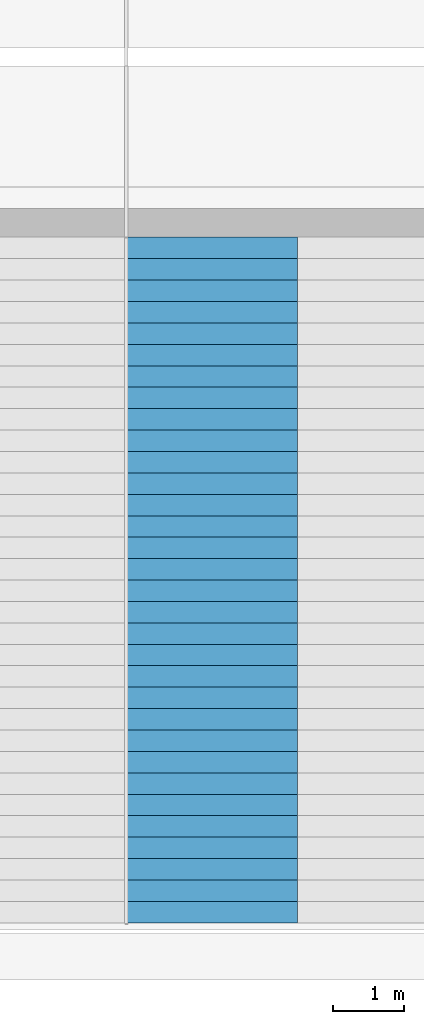
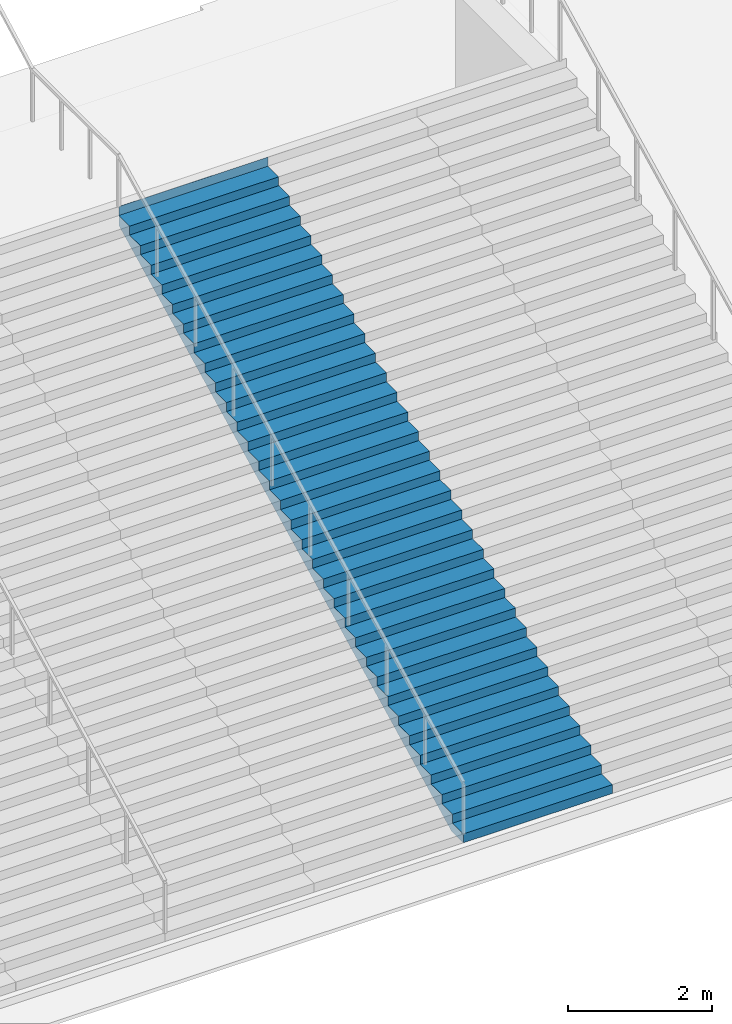
# One storey, part 37 of 57: 1 stair flight, 1 element without a shape of its own.
"""IFC4 building model written with IfcOpenShell, lengths in metres."""

from ifc_helpers import new_model, si_unit, direction, frame, origin, place, context, subcontext, project, spatial, triangles, material, type_object, element, aggregate, save


model = new_model("IFC4")

# Units and contexts
model_context = context("Model", 3, precision=1e-05, world=origin(), true_north=direction((0.0, 1.0)))
body_context = subcontext(model_context, "Body", "Model", "MODEL_VIEW")
ifc_project = project(units=[si_unit("LENGTHUNIT", "METRE"), si_unit("AREAUNIT", "SQUARE_METRE"), si_unit("VOLUMEUNIT", "CUBIC_METRE"), si_unit("PLANEANGLEUNIT", "RADIAN"), si_unit("MASSUNIT", "GRAM", prefix="KILO")], contexts=[model_context])

# Site, building, storey
site_placement = place(None, origin())
site = spatial("IfcSite", under=ifc_project, at=site_placement, CompositionType="ELEMENT")
building_placement = place(site_placement, origin())
building = spatial("IfcBuilding", under=site, at=building_placement, Name="Beryl Residences", CompositionType="ELEMENT")
storey_placement = place(building_placement, origin())
storey = spatial("IfcBuildingStorey", under=building, at=storey_placement, Name="L00", CompositionType="ELEMENT", Elevation=0.0)

# Stair, stair flight
ifc_material_1 = material(Name="Precast concrete C40/50", Category="concrete")
stair_type = type_object("IfcStairType", Name="GS1 garden stair", PredefinedType="STRAIGHT_RUN_STAIR", material=ifc_material_1)
stair_placement = place(storey_placement, origin())
stair = element("IfcStair", 1, at=stair_placement, inside=storey, type_object=stair_type, Name="GS1 garden stair", PredefinedType="STRAIGHT_RUN_STAIR")
ifc_material_2 = material(Name="Precast concrete C40/50", Category="concrete")
stair_flight_type = type_object("IfcStairFlightType", Name="GF1 garden stair flight", PredefinedType="STRAIGHT", material=ifc_material_2)
stair_flight_placement = place(storey_placement, frame((6.0, -54.199951171875, 0.0), z_axis=(0.0, 0.0, 1.0), x_axis=(0.0, 1.0, 0.0)))
stair_flight = element("IfcStairFlight", 2, at=stair_flight_placement, type_object=stair_flight_type, Name="GS1 flight 8", NumberOfRisers=33, NumberOfTreads=32, PredefinedType="STRAIGHT", RiserHeight=0.151515152, TreadLength=0.3, context=body_context, shape_type="Tessellation", body=[
    triangles([(0.0, -1.199951171875, 0.0), (0.0, -0.60009765625, 0.0), (0.0, 0.0, 0.0), (0.0, 0.60009765625, 0.0), (0.0, 1.199951171875, 0.0), (0.0, -1.199951171875, 0.151611328125), (0.0, -0.60009765625, 0.151611328125), (0.0, 0.0, 0.151611328125), (0.0, 0.60009765625, 0.151611328125), (0.0, 1.199951171875, 0.151611328125), (0.300048828125, -1.199951171875, 0.151611328125), (0.300048828125, -0.60009765625, 0.151611328125), (0.300048828125, 0.0, 0.151611328125), (0.300048828125, 0.60009765625, 0.151611328125), (0.300048828125, 1.199951171875, 0.151611328125), (0.300048828125, -1.199951171875, 0.302978515625), (0.300048828125, -0.60009765625, 0.302978515625), (0.300048828125, 0.0, 0.302978515625), (0.300048828125, 0.60009765625, 0.302978515625), (0.300048828125, 1.199951171875, 0.302978515625), (0.60009765625, -1.199951171875, 0.302978515625), (0.60009765625, -0.60009765625, 0.302978515625), (0.60009765625, 0.0, 0.302978515625), (0.60009765625, 0.60009765625, 0.302978515625), (0.60009765625, 1.199951171875, 0.302978515625), (0.60009765625, -1.199951171875, 0.45458984375), (0.60009765625, -0.60009765625, 0.45458984375), (0.60009765625, 0.0, 0.45458984375), (0.60009765625, 0.60009765625, 0.45458984375), (0.60009765625, 1.199951171875, 0.45458984375), (0.89990234375, -1.199951171875, 0.45458984375), (0.89990234375, -0.60009765625, 0.45458984375), (0.89990234375, 0.0, 0.45458984375), (0.89990234375, 0.60009765625, 0.45458984375), (0.89990234375, 1.199951171875, 0.45458984375), (0.89990234375, -1.199951171875, 0.60595703125), (0.89990234375, -0.60009765625, 0.60595703125), (0.89990234375, 0.0, 0.60595703125), (0.89990234375, 0.60009765625, 0.60595703125), (0.89990234375, 1.199951171875, 0.60595703125), (1.199951171875, -1.199951171875, 0.60595703125), (1.199951171875, -0.60009765625, 0.60595703125), (1.199951171875, 0.0, 0.60595703125), (1.199951171875, 0.60009765625, 0.60595703125), (1.199951171875, 1.199951171875, 0.60595703125), (1.199951171875, -1.199951171875, 0.757568359375), (1.199951171875, -0.60009765625, 0.757568359375), (1.199951171875, 0.0, 0.757568359375), (1.199951171875, 0.60009765625, 0.757568359375), (1.199951171875, 1.199951171875, 0.757568359375), (1.5, -1.199951171875, 0.757568359375), (1.5, -0.60009765625, 0.757568359375), (1.5, 0.0, 0.757568359375), (1.5, 0.60009765625, 0.757568359375), (1.5, 1.199951171875, 0.757568359375), (1.5, -1.199951171875, 0.9091796875), (1.5, -0.60009765625, 0.9091796875), (1.5, 0.0, 0.9091796875), (1.5, 0.60009765625, 0.9091796875), (1.5, 1.199951171875, 0.9091796875), (1.800048828125, -1.199951171875, 0.9091796875), (1.800048828125, -0.60009765625, 0.9091796875), (1.800048828125, 0.0, 0.9091796875), (1.800048828125, 0.60009765625, 0.9091796875), (1.800048828125, 1.199951171875, 0.9091796875), (1.800048828125, -1.199951171875, 1.060546875), (1.800048828125, -0.60009765625, 1.060546875), (1.800048828125, 0.0, 1.060546875), (1.800048828125, 0.60009765625, 1.060546875), (1.800048828125, 1.199951171875, 1.060546875), (2.10009765625, -1.199951171875, 1.060546875), (2.10009765625, -0.60009765625, 1.060546875), (2.10009765625, 0.0, 1.060546875), (2.10009765625, 0.60009765625, 1.060546875), (2.10009765625, 1.199951171875, 1.060546875), (2.10009765625, -1.199951171875, 1.212158203125), (2.10009765625, -0.60009765625, 1.212158203125), (2.10009765625, 0.0, 1.212158203125), (2.10009765625, 0.60009765625, 1.212158203125), (2.10009765625, 1.199951171875, 1.212158203125), (2.39990234375, -1.199951171875, 1.212158203125), (2.39990234375, -0.60009765625, 1.212158203125), (2.39990234375, 0.0, 1.212158203125), (2.39990234375, 0.60009765625, 1.212158203125), (2.39990234375, 1.199951171875, 1.212158203125), (2.39990234375, -1.199951171875, 1.363525390625), (2.39990234375, -0.60009765625, 1.363525390625), (2.39990234375, 0.0, 1.363525390625), (2.39990234375, 0.60009765625, 1.363525390625), (2.39990234375, 1.199951171875, 1.363525390625), (2.699951171875, -1.199951171875, 1.363525390625), (2.699951171875, -0.60009765625, 1.363525390625), (2.699951171875, 0.0, 1.363525390625), (2.699951171875, 0.60009765625, 1.363525390625), (2.699951171875, 1.199951171875, 1.363525390625), (2.699951171875, -1.199951171875, 1.51513671875), (2.699951171875, -0.60009765625, 1.51513671875), (2.699951171875, 0.0, 1.51513671875), (2.699951171875, 0.60009765625, 1.51513671875), (2.699951171875, 1.199951171875, 1.51513671875), (3.0, -1.199951171875, 1.51513671875), (3.0, -0.60009765625, 1.51513671875), (3.0, 0.0, 1.51513671875), (3.0, 0.60009765625, 1.51513671875), (3.0, 1.199951171875, 1.51513671875), (3.0, -1.199951171875, 1.666748046875), (3.0, -0.60009765625, 1.666748046875), (3.0, 0.0, 1.666748046875), (3.0, 0.60009765625, 1.666748046875), (3.0, 1.199951171875, 1.666748046875), (3.300048828125, -1.199951171875, 1.666748046875), (3.300048828125, -0.60009765625, 1.666748046875), (3.300048828125, 0.0, 1.666748046875), (3.300048828125, 0.60009765625, 1.666748046875), (3.300048828125, 1.199951171875, 1.666748046875), (3.300048828125, -1.199951171875, 1.818115234375), (3.300048828125, -0.60009765625, 1.818115234375), (3.300048828125, 0.0, 1.818115234375), (3.300048828125, 0.60009765625, 1.818115234375), (3.300048828125, 1.199951171875, 1.818115234375), (3.60009765625, -1.199951171875, 1.818115234375), (3.60009765625, -0.60009765625, 1.818115234375), (3.60009765625, 0.0, 1.818115234375), (3.60009765625, 0.60009765625, 1.818115234375), (3.60009765625, 1.199951171875, 1.818115234375), (3.60009765625, -1.199951171875, 1.9697265625), (3.60009765625, -0.60009765625, 1.9697265625), (3.60009765625, 0.0, 1.9697265625), (3.60009765625, 0.60009765625, 1.9697265625), (3.60009765625, 1.199951171875, 1.9697265625), (3.89990234375, -1.199951171875, 1.9697265625), (3.89990234375, -0.60009765625, 1.9697265625), (3.89990234375, 0.0, 1.9697265625), (3.89990234375, 0.60009765625, 1.9697265625), (3.89990234375, 1.199951171875, 1.9697265625), (3.89990234375, -1.199951171875, 2.12109375), (3.89990234375, -0.60009765625, 2.12109375), (3.89990234375, 0.0, 2.12109375), (3.89990234375, 0.60009765625, 2.12109375), (3.89990234375, 1.199951171875, 2.12109375), (4.199951171875, -1.199951171875, 2.12109375), (4.199951171875, -0.60009765625, 2.12109375), (4.199951171875, 0.0, 2.12109375), (4.199951171875, 0.60009765625, 2.12109375), (4.199951171875, 1.199951171875, 2.12109375), (4.199951171875, -1.199951171875, 2.272705078125), (4.199951171875, -0.60009765625, 2.272705078125), (4.199951171875, 0.0, 2.272705078125), (4.199951171875, 0.60009765625, 2.272705078125), (4.199951171875, 1.199951171875, 2.272705078125), (4.5, -1.199951171875, 2.272705078125), (4.5, -0.60009765625, 2.272705078125), (4.5, 0.0, 2.272705078125), (4.5, 0.60009765625, 2.272705078125), (4.5, 1.199951171875, 2.272705078125), (4.5, -1.199951171875, 2.42431640625), (4.5, -0.60009765625, 2.42431640625), (4.5, 0.0, 2.42431640625), (4.5, 0.60009765625, 2.42431640625), (4.5, 1.199951171875, 2.42431640625), (4.800048828125, -1.199951171875, 2.42431640625), (4.800048828125, -0.60009765625, 2.42431640625), (4.800048828125, 0.0, 2.42431640625), (4.800048828125, 0.60009765625, 2.42431640625), (4.800048828125, 1.199951171875, 2.42431640625), (4.800048828125, -1.199951171875, 2.57568359375), (4.800048828125, -0.60009765625, 2.57568359375), (4.800048828125, 0.0, 2.57568359375), (4.800048828125, 0.60009765625, 2.57568359375), (4.800048828125, 1.199951171875, 2.57568359375), (5.10009765625, -1.199951171875, 2.57568359375), (5.10009765625, -0.60009765625, 2.57568359375), (5.10009765625, 0.0, 2.57568359375), (5.10009765625, 0.60009765625, 2.57568359375), (5.10009765625, 1.199951171875, 2.57568359375), (5.10009765625, -1.199951171875, 2.727294921875), (5.10009765625, -0.60009765625, 2.727294921875), (5.10009765625, 0.0, 2.727294921875), (5.10009765625, 0.60009765625, 2.727294921875), (5.10009765625, 1.199951171875, 2.727294921875), (5.39990234375, -1.199951171875, 2.727294921875), (5.39990234375, -0.60009765625, 2.727294921875), (5.39990234375, 0.0, 2.727294921875), (5.39990234375, 0.60009765625, 2.727294921875), (5.39990234375, 1.199951171875, 2.727294921875), (5.39990234375, -1.199951171875, 2.87890625), (5.39990234375, -0.60009765625, 2.87890625), (5.39990234375, 0.0, 2.87890625), (5.39990234375, 0.60009765625, 2.87890625), (5.39990234375, 1.199951171875, 2.87890625), (5.699951171875, -1.199951171875, 2.87890625), (5.699951171875, -0.60009765625, 2.87890625), (5.699951171875, 0.0, 2.87890625), (5.699951171875, 0.60009765625, 2.87890625), (5.699951171875, 1.199951171875, 2.87890625), (5.699951171875, -1.199951171875, 3.0302734375), (5.699951171875, -0.60009765625, 3.0302734375), (5.699951171875, 0.0, 3.0302734375), (5.699951171875, 0.60009765625, 3.0302734375), (5.699951171875, 1.199951171875, 3.0302734375), (6.0, -1.199951171875, 3.0302734375), (6.0, -0.60009765625, 3.0302734375), (6.0, 0.0, 3.0302734375), (6.0, 0.60009765625, 3.0302734375), (6.0, 1.199951171875, 3.0302734375), (6.0, -1.199951171875, 3.181884765625), (6.0, -0.60009765625, 3.181884765625), (6.0, 0.0, 3.181884765625), (6.0, 0.60009765625, 3.181884765625), (6.0, 1.199951171875, 3.181884765625), (6.300048828125, -1.199951171875, 3.181884765625), (6.300048828125, -0.60009765625, 3.181884765625), (6.300048828125, 0.0, 3.181884765625), (6.300048828125, 0.60009765625, 3.181884765625), (6.300048828125, 1.199951171875, 3.181884765625), (6.300048828125, -1.199951171875, 3.333251953125), (6.300048828125, -0.60009765625, 3.333251953125), (6.300048828125, 0.0, 3.333251953125), (6.300048828125, 0.60009765625, 3.333251953125), (6.300048828125, 1.199951171875, 3.333251953125), (6.60009765625, -1.199951171875, 3.333251953125), (6.60009765625, -0.60009765625, 3.333251953125), (6.60009765625, 0.0, 3.333251953125), (6.60009765625, 0.60009765625, 3.333251953125), (6.60009765625, 1.199951171875, 3.333251953125), (6.60009765625, -1.199951171875, 3.48486328125), (6.60009765625, -0.60009765625, 3.48486328125), (6.60009765625, 0.0, 3.48486328125), (6.60009765625, 0.60009765625, 3.48486328125), (6.60009765625, 1.199951171875, 3.48486328125), (6.89990234375, -1.199951171875, 3.48486328125), (6.89990234375, -0.60009765625, 3.48486328125), (6.89990234375, 0.0, 3.48486328125), (6.89990234375, 0.60009765625, 3.48486328125), (6.89990234375, 1.199951171875, 3.48486328125), (6.89990234375, -1.199951171875, 3.636474609375), (6.89990234375, -0.60009765625, 3.636474609375), (6.89990234375, 0.0, 3.636474609375), (6.89990234375, 0.60009765625, 3.636474609375), (6.89990234375, 1.199951171875, 3.636474609375), (7.199951171875, -1.199951171875, 3.636474609375), (7.199951171875, -0.60009765625, 3.636474609375), (7.199951171875, 0.0, 3.636474609375), (7.199951171875, 0.60009765625, 3.636474609375), (7.199951171875, 1.199951171875, 3.636474609375), (7.199951171875, -1.199951171875, 3.787841796875), (7.199951171875, -0.60009765625, 3.787841796875), (7.199951171875, 0.0, 3.787841796875), (7.199951171875, 0.60009765625, 3.787841796875), (7.199951171875, 1.199951171875, 3.787841796875), (7.5, -1.199951171875, 3.787841796875), (7.5, -0.60009765625, 3.787841796875), (7.5, 0.0, 3.787841796875), (7.5, 0.60009765625, 3.787841796875), (7.5, 1.199951171875, 3.787841796875), (7.5, -1.199951171875, 3.939453125), (7.5, -0.60009765625, 3.939453125), (7.5, 0.0, 3.939453125), (7.5, 0.60009765625, 3.939453125), (7.5, 1.199951171875, 3.939453125), (7.800048828125, -1.199951171875, 3.939453125), (7.800048828125, -0.60009765625, 3.939453125), (7.800048828125, 0.0, 3.939453125), (7.800048828125, 0.60009765625, 3.939453125), (7.800048828125, 1.199951171875, 3.939453125), (7.800048828125, -1.199951171875, 4.0908203125), (7.800048828125, -0.60009765625, 4.0908203125), (7.800048828125, 0.0, 4.0908203125), (7.800048828125, 0.60009765625, 4.0908203125), (7.800048828125, 1.199951171875, 4.0908203125), (8.10009765625, -1.199951171875, 4.0908203125), (8.10009765625, -0.60009765625, 4.0908203125), (8.10009765625, 0.0, 4.0908203125), (8.10009765625, 0.60009765625, 4.0908203125), (8.10009765625, 1.199951171875, 4.0908203125), (8.10009765625, -1.199951171875, 4.242431640625), (8.10009765625, -0.60009765625, 4.242431640625), (8.10009765625, 0.0, 4.242431640625), (8.10009765625, 0.60009765625, 4.242431640625), (8.10009765625, 1.199951171875, 4.242431640625), (8.39990234375, -1.199951171875, 4.242431640625), (8.39990234375, -0.60009765625, 4.242431640625), (8.39990234375, 0.0, 4.242431640625), (8.39990234375, 0.60009765625, 4.242431640625), (8.39990234375, 1.199951171875, 4.242431640625), (8.39990234375, -1.199951171875, 4.39404296875), (8.39990234375, -0.60009765625, 4.39404296875), (8.39990234375, 0.0, 4.39404296875), (8.39990234375, 0.60009765625, 4.39404296875), (8.39990234375, 1.199951171875, 4.39404296875), (8.699951171875, -1.199951171875, 4.39404296875), (8.699951171875, -0.60009765625, 4.39404296875), (8.699951171875, 0.0, 4.39404296875), (8.699951171875, 0.60009765625, 4.39404296875), (8.699951171875, 1.199951171875, 4.39404296875), (8.699951171875, -1.199951171875, 4.54541015625), (8.699951171875, -0.60009765625, 4.54541015625), (8.699951171875, 0.0, 4.54541015625), (8.699951171875, 0.60009765625, 4.54541015625), (8.699951171875, 1.199951171875, 4.54541015625), (9.0, -1.199951171875, 4.54541015625), (9.0, -0.60009765625, 4.54541015625), (9.0, 0.0, 4.54541015625), (9.0, 0.60009765625, 4.54541015625), (9.0, 1.199951171875, 4.54541015625), (9.0, -1.199951171875, 4.697021484375), (9.0, -0.60009765625, 4.697021484375), (9.0, 0.0, 4.697021484375), (9.0, 0.60009765625, 4.697021484375), (9.0, 1.199951171875, 4.697021484375), (9.300048828125, -1.199951171875, 4.697021484375), (9.300048828125, -0.60009765625, 4.697021484375), (9.300048828125, 0.0, 4.697021484375), (9.300048828125, 0.60009765625, 4.697021484375), (9.300048828125, 1.199951171875, 4.697021484375), (9.300048828125, -1.199951171875, 4.848388671875), (9.300048828125, -0.60009765625, 4.848388671875), (9.300048828125, 0.0, 4.848388671875), (9.300048828125, 0.60009765625, 4.848388671875), (9.300048828125, 1.199951171875, 4.848388671875), (9.60009765625, -1.199951171875, 4.848388671875), (9.60009765625, -0.60009765625, 4.848388671875), (9.60009765625, 0.0, 4.848388671875), (9.60009765625, 0.60009765625, 4.848388671875), (9.60009765625, 1.199951171875, 4.848388671875), (9.60009765625, -1.199951171875, 5.0), (9.60009765625, -0.60009765625, 5.0), (9.60009765625, 0.0, 5.0), (9.60009765625, 0.60009765625, 5.0), (9.60009765625, 1.199951171875, 5.0), (9.60107421875, -1.199951171875, 5.0), (9.60107421875, -0.60009765625, 5.0), (9.60107421875, 0.0, 5.0), (9.60107421875, 0.60009765625, 5.0), (9.60107421875, 1.199951171875, 5.0), (9.60107421875, -1.199951171875, 4.6806640625), (9.60107421875, -0.60009765625, 4.6806640625), (9.60107421875, 0.0, 4.6806640625), (9.60107421875, 0.60009765625, 4.6806640625), (9.60107421875, 1.199951171875, 4.6806640625), (0.33349609375, -1.199951171875, 0.0), (0.33349609375, -0.60009765625, 0.0), (0.33349609375, 0.0, 0.0), (0.33349609375, 0.60009765625, 0.0), (0.33349609375, 1.199951171875, 0.0)], [[1, 6, 7], [1, 7, 2], [2, 7, 8], [2, 8, 3], [3, 8, 9], [3, 9, 4], [4, 9, 10], [4, 10, 5], [6, 11, 12], [6, 12, 7], [7, 12, 13], [7, 13, 8], [8, 13, 14], [8, 14, 9], [9, 14, 15], [9, 15, 10], [11, 16, 17], [11, 17, 12], [12, 17, 18], [12, 18, 13], [13, 18, 19], [13, 19, 14], [14, 19, 20], [14, 20, 15], [16, 21, 22], [16, 22, 17], [17, 22, 23], [17, 23, 18], [18, 23, 24], [18, 24, 19], [19, 24, 25], [19, 25, 20], [21, 26, 27], [21, 27, 22], [22, 27, 28], [22, 28, 23], [23, 28, 29], [23, 29, 24], [24, 29, 30], [24, 30, 25], [26, 31, 32], [26, 32, 27], [27, 32, 33], [27, 33, 28], [28, 33, 34], [28, 34, 29], [29, 34, 35], [29, 35, 30], [31, 36, 37], [31, 37, 32], [32, 37, 38], [32, 38, 33], [33, 38, 39], [33, 39, 34], [34, 39, 40], [34, 40, 35], [36, 41, 42], [36, 42, 37], [37, 42, 43], [37, 43, 38], [38, 43, 44], [38, 44, 39], [39, 44, 45], [39, 45, 40], [41, 46, 47], [41, 47, 42], [42, 47, 48], [42, 48, 43], [43, 48, 49], [43, 49, 44], [44, 49, 50], [44, 50, 45], [46, 51, 52], [46, 52, 47], [47, 52, 53], [47, 53, 48], [48, 53, 54], [48, 54, 49], [49, 54, 55], [49, 55, 50], [51, 56, 57], [51, 57, 52], [52, 57, 58], [52, 58, 53], [53, 58, 59], [53, 59, 54], [54, 59, 60], [54, 60, 55], [56, 61, 62], [56, 62, 57], [57, 62, 63], [57, 63, 58], [58, 63, 64], [58, 64, 59], [59, 64, 65], [59, 65, 60], [61, 66, 67], [61, 67, 62], [62, 67, 68], [62, 68, 63], [63, 68, 69], [63, 69, 64], [64, 69, 70], [64, 70, 65], [66, 71, 72], [66, 72, 67], [67, 72, 73], [67, 73, 68], [68, 73, 74], [68, 74, 69], [69, 74, 75], [69, 75, 70], [71, 76, 77], [71, 77, 72], [72, 77, 78], [72, 78, 73], [73, 78, 79], [73, 79, 74], [74, 79, 80], [74, 80, 75], [76, 81, 82], [76, 82, 77], [77, 82, 83], [77, 83, 78], [78, 83, 84], [78, 84, 79], [79, 84, 85], [79, 85, 80], [81, 86, 87], [81, 87, 82], [82, 87, 88], [82, 88, 83], [83, 88, 89], [83, 89, 84], [84, 89, 90], [84, 90, 85], [86, 91, 92], [86, 92, 87], [87, 92, 93], [87, 93, 88], [88, 93, 94], [88, 94, 89], [89, 94, 95], [89, 95, 90], [91, 96, 97], [91, 97, 92], [92, 97, 98], [92, 98, 93], [93, 98, 99], [93, 99, 94], [94, 99, 100], [94, 100, 95], [96, 101, 102], [96, 102, 97], [97, 102, 103], [97, 103, 98], [98, 103, 104], [98, 104, 99], [99, 104, 105], [99, 105, 100], [101, 106, 107], [101, 107, 102], [102, 107, 108], [102, 108, 103], [103, 108, 109], [103, 109, 104], [104, 109, 110], [104, 110, 105], [106, 111, 112], [106, 112, 107], [107, 112, 113], [107, 113, 108], [108, 113, 114], [108, 114, 109], [109, 114, 115], [109, 115, 110], [111, 116, 117], [111, 117, 112], [112, 117, 118], [112, 118, 113], [113, 118, 119], [113, 119, 114], [114, 119, 120], [114, 120, 115], [116, 121, 122], [116, 122, 117], [117, 122, 123], [117, 123, 118], [118, 123, 124], [118, 124, 119], [119, 124, 125], [119, 125, 120], [121, 126, 127], [121, 127, 122], [122, 127, 128], [122, 128, 123], [123, 128, 129], [123, 129, 124], [124, 129, 130], [124, 130, 125], [126, 131, 132], [126, 132, 127], [127, 132, 133], [127, 133, 128], [128, 133, 134], [128, 134, 129], [129, 134, 135], [129, 135, 130], [131, 136, 137], [131, 137, 132], [132, 137, 138], [132, 138, 133], [133, 138, 139], [133, 139, 134], [134, 139, 140], [134, 140, 135], [136, 141, 142], [136, 142, 137], [137, 142, 143], [137, 143, 138], [138, 143, 144], [138, 144, 139], [139, 144, 145], [139, 145, 140], [141, 146, 147], [141, 147, 142], [142, 147, 148], [142, 148, 143], [143, 148, 149], [143, 149, 144], [144, 149, 150], [144, 150, 145], [146, 151, 152], [146, 152, 147], [147, 152, 153], [147, 153, 148], [148, 153, 154], [148, 154, 149], [149, 154, 155], [149, 155, 150], [151, 156, 157], [151, 157, 152], [152, 157, 158], [152, 158, 153], [153, 158, 159], [153, 159, 154], [154, 159, 160], [154, 160, 155], [156, 161, 162], [156, 162, 157], [157, 162, 163], [157, 163, 158], [158, 163, 164], [158, 164, 159], [159, 164, 165], [159, 165, 160], [161, 166, 167], [161, 167, 162], [162, 167, 168], [162, 168, 163], [163, 168, 169], [163, 169, 164], [164, 169, 170], [164, 170, 165], [166, 171, 172], [166, 172, 167], [167, 172, 173], [167, 173, 168], [168, 173, 174], [168, 174, 169], [169, 174, 175], [169, 175, 170], [171, 176, 177], [171, 177, 172], [172, 177, 178], [172, 178, 173], [173, 178, 179], [173, 179, 174], [174, 179, 180], [174, 180, 175], [176, 181, 182], [176, 182, 177], [177, 182, 183], [177, 183, 178], [178, 183, 184], [178, 184, 179], [179, 184, 185], [179, 185, 180], [181, 186, 187], [181, 187, 182], [182, 187, 188], [182, 188, 183], [183, 188, 189], [183, 189, 184], [184, 189, 190], [184, 190, 185], [186, 191, 192], [186, 192, 187], [187, 192, 193], [187, 193, 188], [188, 193, 194], [188, 194, 189], [189, 194, 195], [189, 195, 190], [191, 196, 197], [191, 197, 192], [192, 197, 198], [192, 198, 193], [193, 198, 199], [193, 199, 194], [194, 199, 200], [194, 200, 195], [196, 201, 202], [196, 202, 197], [197, 202, 203], [197, 203, 198], [198, 203, 204], [198, 204, 199], [199, 204, 205], [199, 205, 200], [201, 206, 207], [201, 207, 202], [202, 207, 208], [202, 208, 203], [203, 208, 209], [203, 209, 204], [204, 209, 210], [204, 210, 205], [206, 211, 212], [206, 212, 207], [207, 212, 213], [207, 213, 208], [208, 213, 214], [208, 214, 209], [209, 214, 215], [209, 215, 210], [211, 216, 217], [211, 217, 212], [212, 217, 218], [212, 218, 213], [213, 218, 219], [213, 219, 214], [214, 219, 220], [214, 220, 215], [216, 221, 222], [216, 222, 217], [217, 222, 223], [217, 223, 218], [218, 223, 224], [218, 224, 219], [219, 224, 225], [219, 225, 220], [221, 226, 227], [221, 227, 222], [222, 227, 228], [222, 228, 223], [223, 228, 229], [223, 229, 224], [224, 229, 230], [224, 230, 225], [226, 231, 232], [226, 232, 227], [227, 232, 233], [227, 233, 228], [228, 233, 234], [228, 234, 229], [229, 234, 235], [229, 235, 230], [231, 236, 237], [231, 237, 232], [232, 237, 238], [232, 238, 233], [233, 238, 239], [233, 239, 234], [234, 239, 240], [234, 240, 235], [236, 241, 242], [236, 242, 237], [237, 242, 243], [237, 243, 238], [238, 243, 244], [238, 244, 239], [239, 244, 245], [239, 245, 240], [241, 246, 247], [241, 247, 242], [242, 247, 248], [242, 248, 243], [243, 248, 249], [243, 249, 244], [244, 249, 250], [244, 250, 245], [246, 251, 252], [246, 252, 247], [247, 252, 253], [247, 253, 248], [248, 253, 254], [248, 254, 249], [249, 254, 255], [249, 255, 250], [251, 256, 257], [251, 257, 252], [252, 257, 258], [252, 258, 253], [253, 258, 259], [253, 259, 254], [254, 259, 260], [254, 260, 255], [256, 261, 262], [256, 262, 257], [257, 262, 263], [257, 263, 258], [258, 263, 264], [258, 264, 259], [259, 264, 265], [259, 265, 260], [261, 266, 267], [261, 267, 262], [262, 267, 268], [262, 268, 263], [263, 268, 269], [263, 269, 264], [264, 269, 270], [264, 270, 265], [266, 271, 272], [266, 272, 267], [267, 272, 273], [267, 273, 268], [268, 273, 274], [268, 274, 269], [269, 274, 275], [269, 275, 270], [271, 276, 277], [271, 277, 272], [272, 277, 278], [272, 278, 273], [273, 278, 279], [273, 279, 274], [274, 279, 280], [274, 280, 275], [276, 281, 282], [276, 282, 277], [277, 282, 283], [277, 283, 278], [278, 283, 284], [278, 284, 279], [279, 284, 285], [279, 285, 280], [281, 286, 287], [281, 287, 282], [282, 287, 288], [282, 288, 283], [283, 288, 289], [283, 289, 284], [284, 289, 290], [284, 290, 285], [286, 291, 292], [286, 292, 287], [287, 292, 293], [287, 293, 288], [288, 293, 294], [288, 294, 289], [289, 294, 295], [289, 295, 290], [291, 296, 297], [291, 297, 292], [292, 297, 298], [292, 298, 293], [293, 298, 299], [293, 299, 294], [294, 299, 300], [294, 300, 295], [296, 301, 302], [296, 302, 297], [297, 302, 303], [297, 303, 298], [298, 303, 304], [298, 304, 299], [299, 304, 305], [299, 305, 300], [301, 306, 307], [301, 307, 302], [302, 307, 308], [302, 308, 303], [303, 308, 309], [303, 309, 304], [304, 309, 310], [304, 310, 305], [306, 311, 312], [306, 312, 307], [307, 312, 313], [307, 313, 308], [308, 313, 314], [308, 314, 309], [309, 314, 315], [309, 315, 310], [311, 316, 317], [311, 317, 312], [312, 317, 318], [312, 318, 313], [313, 318, 319], [313, 319, 314], [314, 319, 320], [314, 320, 315], [316, 321, 322], [316, 322, 317], [317, 322, 323], [317, 323, 318], [318, 323, 324], [318, 324, 319], [319, 324, 325], [319, 325, 320], [321, 326, 327], [321, 327, 322], [322, 327, 328], [322, 328, 323], [323, 328, 329], [323, 329, 324], [324, 329, 330], [324, 330, 325], [326, 331, 332], [326, 332, 327], [327, 332, 333], [327, 333, 328], [328, 333, 334], [328, 334, 329], [329, 334, 335], [329, 335, 330], [331, 336, 337], [331, 337, 332], [332, 337, 338], [332, 338, 333], [333, 338, 339], [333, 339, 334], [334, 339, 340], [334, 340, 335], [336, 341, 342], [336, 342, 337], [337, 342, 343], [337, 343, 338], [338, 343, 344], [338, 344, 339], [339, 344, 345], [339, 345, 340], [341, 1, 2], [341, 2, 342], [342, 2, 3], [342, 3, 343], [343, 3, 4], [343, 4, 344], [344, 4, 5], [344, 5, 345], [1, 341, 336], [5, 340, 345], [336, 331, 326], [340, 330, 335], [336, 326, 321], [340, 325, 330], [336, 321, 316], [340, 320, 325], [336, 316, 311], [340, 315, 320], [336, 311, 306], [340, 310, 315], [336, 306, 301], [340, 305, 310], [301, 296, 291], [305, 295, 300], [336, 301, 291], [340, 295, 305], [291, 286, 281], [295, 285, 290], [336, 291, 281], [340, 285, 295], [281, 276, 271], [285, 275, 280], [336, 281, 271], [340, 275, 285], [271, 266, 261], [275, 265, 270], [336, 271, 261], [340, 265, 275], [261, 256, 251], [265, 255, 260], [336, 261, 251], [340, 255, 265], [251, 246, 241], [255, 245, 250], [336, 251, 241], [340, 245, 255], [241, 236, 231], [245, 235, 240], [336, 241, 231], [340, 235, 245], [231, 226, 221], [235, 225, 230], [336, 231, 221], [340, 225, 235], [221, 216, 211], [225, 215, 220], [336, 221, 211], [340, 215, 225], [211, 206, 201], [215, 205, 210], [336, 211, 201], [340, 205, 215], [201, 196, 191], [205, 195, 200], [336, 201, 191], [340, 195, 205], [191, 186, 181], [195, 185, 190], [336, 191, 181], [340, 185, 195], [181, 176, 171], [185, 175, 180], [336, 181, 171], [340, 175, 185], [171, 166, 161], [175, 165, 170], [336, 171, 161], [340, 165, 175], [161, 156, 151], [165, 155, 160], [336, 161, 151], [340, 155, 165], [151, 146, 141], [155, 145, 150], [336, 151, 141], [340, 145, 155], [141, 136, 131], [145, 135, 140], [336, 141, 131], [340, 135, 145], [131, 126, 121], [135, 125, 130], [336, 131, 121], [340, 125, 135], [121, 116, 111], [125, 115, 120], [336, 121, 111], [340, 115, 125], [111, 106, 101], [115, 105, 110], [336, 111, 101], [340, 105, 115], [101, 96, 91], [105, 95, 100], [336, 101, 91], [340, 95, 105], [91, 86, 81], [95, 85, 90], [336, 91, 81], [340, 85, 95], [81, 76, 71], [85, 75, 80], [336, 81, 71], [340, 75, 85], [71, 66, 61], [75, 65, 70], [336, 71, 61], [340, 65, 75], [61, 56, 51], [65, 55, 60], [336, 61, 51], [340, 55, 65], [51, 46, 41], [55, 45, 50], [336, 51, 41], [340, 45, 55], [41, 36, 31], [45, 35, 40], [336, 41, 31], [340, 35, 45], [31, 26, 21], [35, 25, 30], [336, 31, 21], [340, 25, 35], [1, 336, 21], [5, 25, 340], [21, 16, 11], [25, 15, 20], [1, 21, 11], [5, 15, 25], [11, 6, 1], [15, 5, 10]], closed=True),
])
aggregate(stair, [stair_flight])

save(model, "model.ifc")
